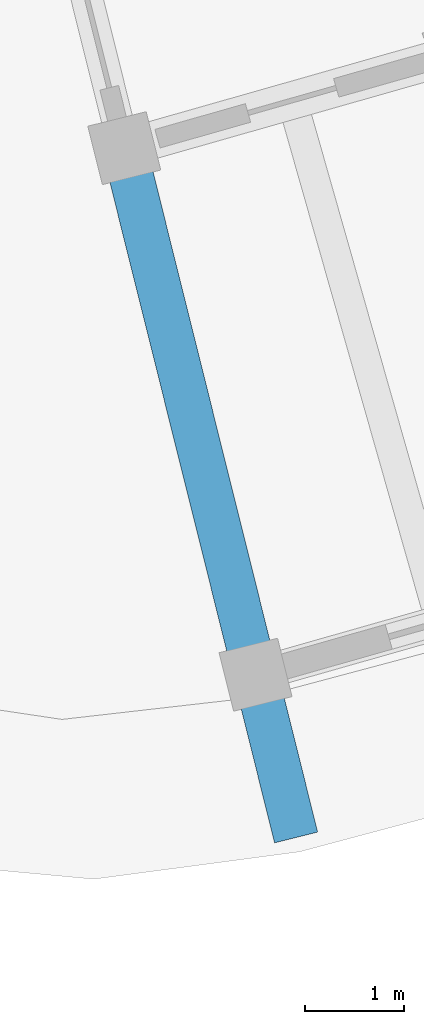
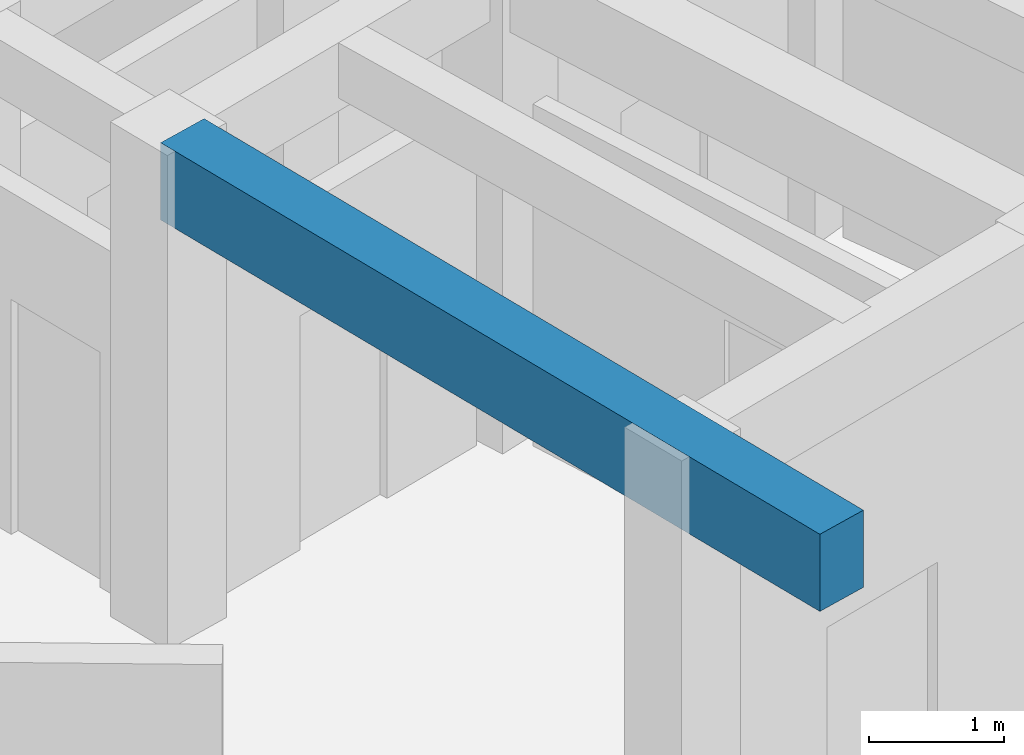
# One storey, part 23 of 132: 1 beam.
"""IFC4 building model written with IfcOpenShell, lengths in metres."""

from ifc_helpers import new_model, si_unit, direction, frame, origin, origin_2d, place, context, subcontext, project, spatial, rectangle, extrude, material, material_profile, profile_set, type_object, element, save


model = new_model("IFC4")

# Units and contexts
model_context = context("Model", 3, precision=1e-05, world=origin(), true_north=direction((0.0, 1.0)))
body_context = subcontext(model_context, "Body", "Model", "MODEL_VIEW")
ifc_project = project(units=[si_unit("LENGTHUNIT", "METRE"), si_unit("AREAUNIT", "SQUARE_METRE"), si_unit("VOLUMEUNIT", "CUBIC_METRE"), si_unit("PLANEANGLEUNIT", "RADIAN"), si_unit("MASSUNIT", "GRAM", prefix="KILO")], contexts=[model_context])

# Site, building, storey
site_placement = place(None, origin())
site = spatial("IfcSite", under=ifc_project, at=site_placement, CompositionType="ELEMENT")
building_placement = place(site_placement, origin())
building = spatial("IfcBuilding", under=site, at=building_placement, Name="Tanwirah Colonnade Gardens", CompositionType="ELEMENT")
storey_placement = place(building_placement, origin())
storey = spatial("IfcBuildingStorey", under=building, at=storey_placement, Name="L00", CompositionType="ELEMENT", Elevation=0.0)

# Beam
ifc_material = material(Name="Precast concrete C45/55", Category="concrete")
ifc_material_profile = material_profile(ifc_material, rectangle(XDim=0.449951171875, YDim=0.699951171875, at=origin_2d()), Name="PC-BM 450x700")
ifc_profile_set = profile_set([ifc_material_profile], Name="Precast concrete C45/55")
beam_type = type_object("IfcBeamType", Name="BM-PC450", PredefinedType="BEAM", material=ifc_profile_set)
beam_placement = place(storey_placement, frame((134.112060546875, 11.909912109375, 4.135009765625), z_axis=(0.241924461086, -0.970295086625, 0.0), x_axis=(0.970295086625, 0.241924461086, 0.0)))
element("IfcBeam", 1, at=beam_placement, inside=storey, type_object=beam_type, Name="Block D L00 Outer Radial Precast Girder 0", PredefinedType="BEAM", context=body_context, shape_type="SweptSolid", body=[
    extrude(rectangle(XDim=0.449951171875, YDim=0.699951171875, at=origin_2d()), origin(), (0.0, 0.0, 1.0), 7.050048828125),
])

save(model, "model.ifc")
